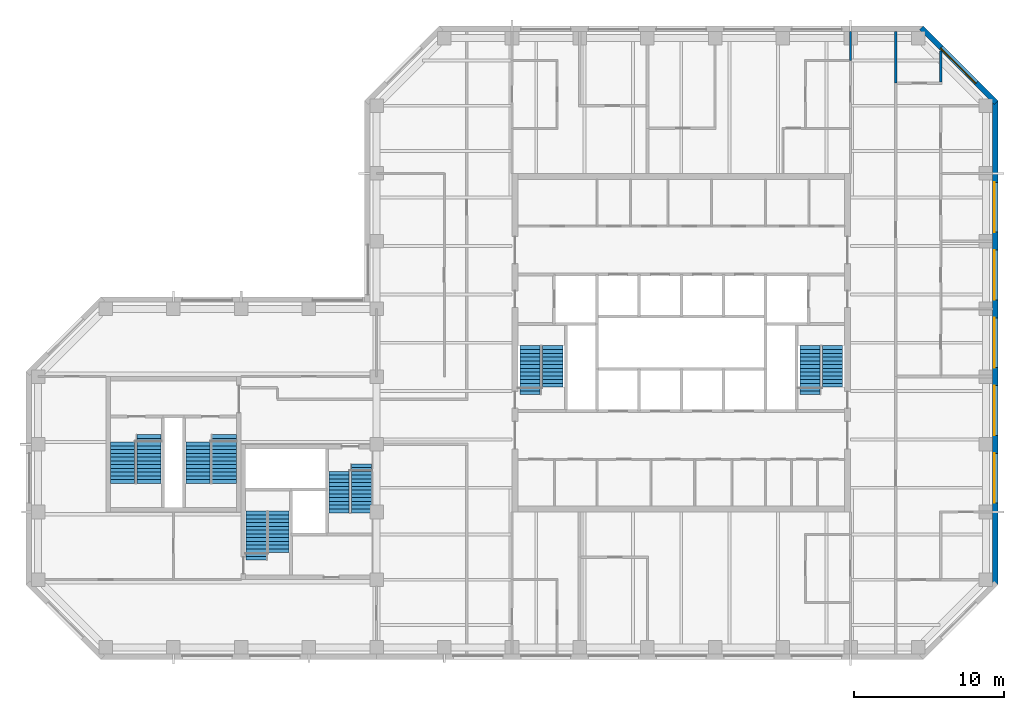
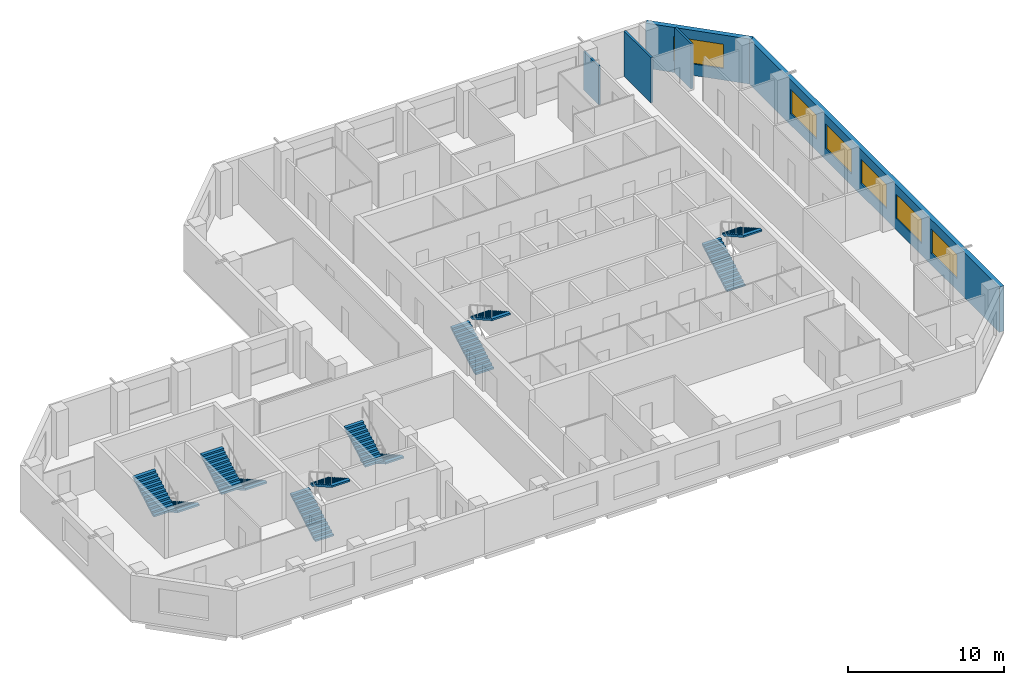
# One storey, part 8 of 9: 12 stair flights, 6 windows, 5 walls, 6 openings, 6 elements without a shape of their own.
"""IFC4 building model written with IfcOpenShell, lengths in metres."""

from ifc_helpers import new_model, si_unit, direction, frame, frame_2d, origin, place, context, subcontext, project, spatial, polyline, rectangle, outline, extrude, material, layer, layer_set, constituent, constituent_set, type_object, element, fill, aggregate, save


model = new_model("IFC4")

# Units and contexts
model_context = context("Model", 3, precision=1e-05, world=origin(), true_north=direction((0.0, 1.0)))
body_context = subcontext(model_context, "Body", "Model", "MODEL_VIEW")
ifc_project = project(units=[si_unit("LENGTHUNIT", "METRE"), si_unit("AREAUNIT", "SQUARE_METRE"), si_unit("VOLUMEUNIT", "CUBIC_METRE"), si_unit("PLANEANGLEUNIT", "RADIAN"), si_unit("MASSUNIT", "GRAM", prefix="KILO")], contexts=[model_context])

# Site, building, storey
site_placement = place(None, origin())
site = spatial("IfcSite", under=ifc_project, at=site_placement, CompositionType="ELEMENT")
building_placement = place(site_placement, origin())
building = spatial("IfcBuilding", under=site, at=building_placement, Name="Quoin Convention Tower", CompositionType="ELEMENT")
storey_placement = place(building_placement, frame((0.0, 0.0, 230.39990234375)))
storey = spatial("IfcBuildingStorey", under=building, at=storey_placement, Name="L60", CompositionType="ELEMENT", Elevation=230.39990234375)

# Wall, openings, windows
ifc_material_1 = material(Name="Brick masonry", Category="masonry")
ifc_layer_1 = layer(ifc_material_1, 0.35009765625)
ifc_layer_set_1 = layer_set([ifc_layer_1], Name="Brick masonry")
wall_type_1 = type_object("IfcWallType", Name="Brick facade wall", PredefinedType="STANDARD", material=ifc_layer_set_1)
wall_1_placement = place(storey_placement, frame((77.125, 44.668701171875, 0.0), z_axis=(0.0, 0.0, 1.0), x_axis=(0.0, 1.0, 0.0)))
wall_1 = element("IfcWall", 1, at=wall_1_placement, inside=storey, type_object=wall_type_1, Name="fw-L60-76500_45000", PredefinedType="STANDARD", context=body_context, shape_type="SweptSolid", body=[
    extrude(rectangle(XDim=32.16259765625, YDim=0.35009765625, at=frame_2d((16.081298828125, 0.0))), origin(), (0.0, 0.0, 1.0), 3.525146484375),
])
opening_1_placement = place(wall_1_placement, frame((5.431396484375, 0.0, 0.89990234375)))
opening_1 = element("IfcOpeningElement", 2, at=opening_1_placement, cuts=wall_1, Name="Opening W-02", PredefinedType="OPENING", context=body_context, shape_type="SweptSolid", body=[
    extrude(rectangle(XDim=3.300048828125, YDim=1.89990234375, at=frame_2d((1.64990234375, 0.949951171875))), frame((0.0, 0.18505859375, 0.0), z_axis=(0.0, -1.0, 0.0), x_axis=(1.0, 0.0, 0.0)), (0.0, 0.0, 1.0), 0.3701171875),
])
opening_2_placement = place(wall_1_placement, frame((9.931396484375, 0.0, 0.89990234375)))
opening_2 = element("IfcOpeningElement", 3, at=opening_2_placement, cuts=wall_1, Name="Opening W-02", PredefinedType="OPENING", context=body_context, shape_type="SweptSolid", body=[
    extrude(rectangle(XDim=3.300048828125, YDim=1.89990234375, at=frame_2d((1.64990234375, 0.949951171875))), frame((0.0, 0.18505859375, 0.0), z_axis=(0.0, -1.0, 0.0), x_axis=(1.0, 0.0, 0.0)), (0.0, 0.0, 1.0), 0.3701171875),
])
opening_3_placement = place(wall_1_placement, frame((14.431396484375, 0.0, 0.89990234375)))
opening_3 = element("IfcOpeningElement", 4, at=opening_3_placement, cuts=wall_1, Name="Opening W-02", PredefinedType="OPENING", context=body_context, shape_type="SweptSolid", body=[
    extrude(rectangle(XDim=3.300048828125, YDim=1.89990234375, at=frame_2d((1.64990234375, 0.949951171875))), frame((0.0, 0.18505859375, 0.0), z_axis=(0.0, -1.0, 0.0), x_axis=(1.0, 0.0, 0.0)), (0.0, 0.0, 1.0), 0.3701171875),
])
opening_4_placement = place(wall_1_placement, frame((18.931396484375, 0.0, 0.89990234375)))
opening_4 = element("IfcOpeningElement", 5, at=opening_4_placement, cuts=wall_1, Name="Opening W-02", PredefinedType="OPENING", context=body_context, shape_type="SweptSolid", body=[
    extrude(rectangle(XDim=3.300048828125, YDim=1.89990234375, at=frame_2d((1.64990234375, 0.949951171875))), frame((0.0, 0.18505859375, 0.0), z_axis=(0.0, -1.0, 0.0), x_axis=(1.0, 0.0, 0.0)), (0.0, 0.0, 1.0), 0.3701171875),
])
opening_5_placement = place(wall_1_placement, frame((23.431396484375, 0.0, 0.89990234375)))
opening_5 = element("IfcOpeningElement", 6, at=opening_5_placement, cuts=wall_1, Name="Opening W-02", PredefinedType="OPENING", context=body_context, shape_type="SweptSolid", body=[
    extrude(rectangle(XDim=3.300048828125, YDim=1.89990234375, at=frame_2d((1.64990234375, 0.949951171875))), frame((0.0, 0.18505859375, 0.0), z_axis=(0.0, -1.0, 0.0), x_axis=(1.0, 0.0, 0.0)), (0.0, 0.0, 1.0), 0.3701171875),
])
ifc_material_2 = material(Name="Aluminium", Category="aluminium")
ifc_constituent_1 = constituent(ifc_material_2, Name="Frame")
ifc_material_3 = material(Name="Insulated glass", Category="glass")
ifc_constituent_2 = constituent(ifc_material_3, Name="Glazing")
ifc_constituent_set = constituent_set(constituents=[ifc_constituent_1, ifc_constituent_2], Name="Aluminium")
window_type = type_object("IfcWindowType", Name="Office window", PartitioningType="DOUBLE_PANEL_VERTICAL", PredefinedType="WINDOW", material=ifc_constituent_set)
window_1_placement = place(opening_1_placement, origin())
window_1 = element("IfcWindow", 7, at=window_1_placement, inside=storey, type_object=window_type, Name="win-L60-77125_51750", OverallHeight=1.89990234375, OverallWidth=3.300048828125, PartitioningType="SINGLE_PANEL", PredefinedType="WINDOW", context=body_context, shape_type="SweptSolid", body=[
    extrude(rectangle(XDim=3.300048828125, YDim=1.89990234375, at=frame_2d((1.64990234375, 0.949951171875))), frame((0.0, 0.0849609375, 0.0), z_axis=(0.0, -1.0, 0.0), x_axis=(1.0, 0.0, 0.0)), (0.0, 0.0, 1.0), 0.06005859375),
])
fill(opening_1, window_1)
window_2_placement = place(opening_2_placement, origin())
window_2 = element("IfcWindow", 8, at=window_2_placement, inside=storey, type_object=window_type, Name="win-L60-77125_56250", OverallHeight=1.89990234375, OverallWidth=3.300048828125, PartitioningType="SINGLE_PANEL", PredefinedType="WINDOW", context=body_context, shape_type="SweptSolid", body=[
    extrude(rectangle(XDim=3.300048828125, YDim=1.89990234375, at=frame_2d((1.64990234375, 0.949951171875))), frame((0.0, 0.0849609375, 0.0), z_axis=(0.0, -1.0, 0.0), x_axis=(1.0, 0.0, 0.0)), (0.0, 0.0, 1.0), 0.06005859375),
])
fill(opening_2, window_2)
window_3_placement = place(opening_3_placement, origin())
window_3 = element("IfcWindow", 9, at=window_3_placement, inside=storey, type_object=window_type, Name="win-L60-77125_60750", OverallHeight=1.89990234375, OverallWidth=3.300048828125, PartitioningType="SINGLE_PANEL", PredefinedType="WINDOW", context=body_context, shape_type="SweptSolid", body=[
    extrude(rectangle(XDim=3.300048828125, YDim=1.89990234375, at=frame_2d((1.64990234375, 0.949951171875))), frame((0.0, 0.0849609375, 0.0), z_axis=(0.0, -1.0, 0.0), x_axis=(1.0, 0.0, 0.0)), (0.0, 0.0, 1.0), 0.06005859375),
])
fill(opening_3, window_3)
window_4_placement = place(opening_4_placement, origin())
window_4 = element("IfcWindow", 10, at=window_4_placement, inside=storey, type_object=window_type, Name="win-L60-77125_65250", OverallHeight=1.89990234375, OverallWidth=3.300048828125, PartitioningType="SINGLE_PANEL", PredefinedType="WINDOW", context=body_context, shape_type="SweptSolid", body=[
    extrude(rectangle(XDim=3.300048828125, YDim=1.89990234375, at=frame_2d((1.64990234375, 0.949951171875))), frame((0.0, 0.0849609375, 0.0), z_axis=(0.0, -1.0, 0.0), x_axis=(1.0, 0.0, 0.0)), (0.0, 0.0, 1.0), 0.06005859375),
])
fill(opening_4, window_4)
window_5_placement = place(opening_5_placement, origin())
window_5 = element("IfcWindow", 11, at=window_5_placement, inside=storey, type_object=window_type, Name="win-L60-77125_69750", OverallHeight=1.89990234375, OverallWidth=3.300048828125, PartitioningType="SINGLE_PANEL", PredefinedType="WINDOW", context=body_context, shape_type="SweptSolid", body=[
    extrude(rectangle(XDim=3.300048828125, YDim=1.89990234375, at=frame_2d((1.64990234375, 0.949951171875))), frame((0.0, 0.0849609375, 0.0), z_axis=(0.0, -1.0, 0.0), x_axis=(1.0, 0.0, 0.0)), (0.0, 0.0, 1.0), 0.06005859375),
])
fill(opening_5, window_5)

# Wall, opening, window
wall_2_placement = place(storey_placement, frame((77.17626953125, 76.70751953125, 0.0), z_axis=(0.0, 0.0, 1.0), x_axis=(-0.707106781187, 0.707106781187, 0.0)))
wall_2 = element("IfcWall", 12, at=wall_2_placement, inside=storey, type_object=wall_type_1, Name="fw-L60-76500_76500", PredefinedType="STANDARD", context=body_context, shape_type="SweptSolid", body=[
    extrude(rectangle(XDim=7.02685546875, YDim=0.35009765625, at=frame_2d((3.513427734375, 0.0))), origin(), (0.0, 0.0, 1.0), 3.525146484375),
])
opening_6_placement = place(wall_2_placement, frame((1.86328125, 0.0, 0.89990234375)))
opening_6 = element("IfcOpeningElement", 13, at=opening_6_placement, cuts=wall_2, Name="Opening W-02", PredefinedType="OPENING", context=body_context, shape_type="SweptSolid", body=[
    extrude(rectangle(XDim=3.300048828125, YDim=1.89990234375, at=frame_2d((1.64990234375, 0.949951171875))), frame((0.0, 0.18505859375, 0.0), z_axis=(0.0, -1.0, 0.0), x_axis=(1.0, 0.0, 0.0)), (0.0, 0.0, 1.0), 0.3701171875),
])
window_6_placement = place(opening_6_placement, origin())
window_6 = element("IfcWindow", 14, at=window_6_placement, inside=storey, type_object=window_type, Name="win-L60-74692_79192", OverallHeight=1.89990234375, OverallWidth=3.300048828125, PartitioningType="SINGLE_PANEL", PredefinedType="WINDOW", context=body_context, shape_type="SweptSolid", body=[
    extrude(rectangle(XDim=3.300048828125, YDim=1.89990234375, at=frame_2d((1.64990234375, 0.949951171875))), frame((0.0, 0.0849609375, 0.0), z_axis=(0.0, -1.0, 0.0), x_axis=(1.0, 0.0, 0.0)), (0.0, 0.0, 1.0), 0.06005859375),
])
fill(opening_6, window_6)

# Walls
ifc_material_4 = material(Name="Plasterboard")
ifc_layer_2 = layer(ifc_material_4, 0.012451171875, Name="Finish")
ifc_material_5 = material(Name="Steel stud framing", Category="steel")
ifc_layer_3 = layer(ifc_material_5, 0.125, Name="Structure")
ifc_layer_4 = layer(ifc_material_4, 0.012451171875, Name="Finish")
ifc_layer_set_2 = layer_set([ifc_layer_2, ifc_layer_3, ifc_layer_4], Name="Steel stud framing")
wall_type_2 = type_object("IfcWallType", Name="Corridor wall 150", PredefinedType="PARTITIONING", material=ifc_layer_set_2)
wall_3_placement = place(storey_placement, frame((70.5, 78.0, 0.0), z_axis=(0.0, 0.0, 1.0), x_axis=(0.0, 1.0, 0.0)))
element("IfcWall", 15, at=wall_3_placement, inside=storey, type_object=wall_type_2, Name="pw-L60-079", PredefinedType="PARTITIONING", context=body_context, shape_type="SweptSolid", body=[
    extrude(rectangle(XDim=3.449951171875, YDim=0.14990234375, at=frame_2d((1.72509765625, 0.0))), origin(), (0.0, 0.0, 1.0), 3.550048828125),
])
ifc_layer_5 = layer(ifc_material_4, 0.012451171875, Name="Finish")
ifc_layer_6 = layer(ifc_material_5, 0.125, Name="Structure")
ifc_layer_7 = layer(ifc_material_4, 0.012451171875, Name="Finish")
ifc_layer_set_3 = layer_set([ifc_layer_5, ifc_layer_6, ifc_layer_7], Name="Steel stud framing")
wall_type_3 = type_object("IfcWallType", Name="Corridor wall 150 under beam 528", PredefinedType="PARTITIONING", material=ifc_layer_set_3)
wall_4_placement = place(storey_placement, frame((67.5, 79.5, 0.0), z_axis=(0.0, 0.0, 1.0), x_axis=(0.0, 1.0, 0.0)))
element("IfcWall", 16, at=wall_4_placement, inside=storey, type_object=wall_type_3, Name="pw-L60-082", PredefinedType="PARTITIONING", context=body_context, shape_type="SweptSolid", body=[
    extrude(rectangle(XDim=1.949951171875, YDim=0.14990234375, at=frame_2d((0.97509765625, 0.0))), origin(), (0.0, 0.0, 1.0), 3.022216796875),
])
ifc_layer_8 = layer(ifc_material_4, 0.012451171875, Name="Finish")
ifc_layer_9 = layer(ifc_material_5, 0.125, Name="Structure")
ifc_layer_10 = layer(ifc_material_4, 0.012451171875, Name="Finish")
ifc_layer_set_4 = layer_set([ifc_layer_8, ifc_layer_9, ifc_layer_10], Name="Steel stud framing")
wall_type_4 = type_object("IfcWallType", Name="Wet area partition 150", PredefinedType="PARTITIONING", material=ifc_layer_set_4)
wall_5_placement = place(storey_placement, frame((73.5, 78.074951171875, 0.0), z_axis=(0.0, 0.0, 1.0), x_axis=(0.0, 1.0, 0.0)))
element("IfcWall", 17, at=wall_5_placement, inside=storey, type_object=wall_type_4, Name="pw-L60-080", PredefinedType="PARTITIONING", context=body_context, shape_type="SweptSolid", body=[
    extrude(rectangle(XDim=2.0615234375, YDim=0.14990234375, at=frame_2d((1.03076171875, 0.0))), origin(), (0.0, 0.0, 1.0), 3.550048828125),
])

# Stair, stair flights
ifc_material_6 = material(Name="Concrete C40", Category="concrete")
stair_type_1 = type_object("IfcStairType", Name="Exit stair two-flight 1350", PredefinedType="HALF_TURN_STAIR", material=ifc_material_6)
stair_1_placement = place(storey_placement, origin())
stair_1 = element("IfcStair", 18, at=stair_1_placement, inside=storey, type_object=stair_type_1, Name="SD1 L60", PredefinedType="HALF_TURN_STAIR")
stair_flight_type_1 = type_object("IfcStairFlightType", Name="Stair flight 1350", PredefinedType="STRAIGHT", material=ifc_material_6)
stair_flight_1_placement = place(storey_placement, frame((46.199951171875, 57.300048828125, 0.0), z_axis=(0.0, 0.0, 1.0), x_axis=(0.0, 1.0, 0.0)))
stair_flight_1 = element("IfcStairFlight", 19, at=stair_flight_1_placement, type_object=stair_flight_type_1, Name="ST1 flight 1", NumberOfRisers=14, NumberOfTreads=13, PredefinedType="STRAIGHT", RiserHeight=0.142307692, TreadLength=0.25, context=body_context, shape_type="SweptSolid", body=[
    extrude(outline(polyline([(0.0, 0.0), (0.0, 0.142333984375), (0.25, 0.142333984375), (0.25, 0.28466796875), (0.5, 0.28466796875), (0.5, 0.427001953125), (0.75, 0.427001953125), (0.75, 0.5693359375), (1.0, 0.5693359375), (1.0, 0.71142578125), (1.25, 0.71142578125), (1.25, 0.853759765625), (1.5, 0.853759765625), (1.5, 0.99609375), (1.75, 0.99609375), (1.75, 1.138427734375), (2.0, 1.138427734375), (2.0, 1.28076171875), (2.25, 1.28076171875), (2.25, 1.423095703125), (2.5, 1.423095703125), (2.5, 1.5654296875), (2.75, 1.5654296875), (2.75, 1.707763671875), (3.0, 1.707763671875), (3.0, 1.85009765625), (3.25, 1.85009765625), (3.25, 1.9921875), (3.25, 1.711669921875), (0.242919921875, 0.0), (0.0, 0.0)])), frame((0.0, 0.675048828125, 0.0), z_axis=(0.0, -1.0, 0.0), x_axis=(1.0, 0.0, 0.0)), (0.0, 0.0, 1.0), 1.35009765625),
])
stair_flight_2_placement = place(storey_placement, frame((47.699951171875, 60.550048828125, 1.992431640625), z_axis=(0.0, 0.0, 1.0), x_axis=(0.0, -1.0, 0.0)))
stair_flight_2 = element("IfcStairFlight", 20, at=stair_flight_2_placement, type_object=stair_flight_type_1, Name="ST1 flight 2", NumberOfRisers=12, NumberOfTreads=11, PredefinedType="STRAIGHT", RiserHeight=0.142307692, TreadLength=0.25, context=body_context, shape_type="SweptSolid", body=[
    extrude(outline(polyline([(0.0, 0.0), (0.0, 0.142333984375), (0.25, 0.142333984375), (0.25, 0.28466796875), (0.5, 0.28466796875), (0.5, 0.427001953125), (0.75, 0.427001953125), (0.75, 0.5693359375), (1.0, 0.5693359375), (1.0, 0.71142578125), (1.25, 0.71142578125), (1.25, 0.853759765625), (1.5, 0.853759765625), (1.5, 0.99609375), (1.75, 0.99609375), (1.75, 1.138427734375), (2.0, 1.138427734375), (2.0, 1.28076171875), (2.25, 1.28076171875), (2.25, 1.423095703125), (2.5, 1.423095703125), (2.5, 1.5654296875), (2.75, 1.5654296875), (2.75, 1.707763671875), (2.75, 1.42724609375), (0.242919921875, 0.0), (0.0, 0.0)])), frame((0.0, 0.675048828125, 0.0), z_axis=(0.0, -1.0, 0.0), x_axis=(1.0, 0.0, 0.0)), (0.0, 0.0, 1.0), 1.35009765625),
])
aggregate(stair_1, [stair_flight_1, stair_flight_2])

stair_2_placement = place(storey_placement, origin())
stair_2 = element("IfcStair", 21, at=stair_2_placement, inside=storey, type_object=stair_type_1, Name="SD2 L60", PredefinedType="HALF_TURN_STAIR")
stair_flight_3_placement = place(storey_placement, frame((64.800048828125, 57.300048828125, 0.0), z_axis=(0.0, 0.0, 1.0), x_axis=(0.0, 1.0, 0.0)))
stair_flight_3 = element("IfcStairFlight", 22, at=stair_flight_3_placement, type_object=stair_flight_type_1, Name="ST2 flight 1", NumberOfRisers=14, NumberOfTreads=13, PredefinedType="STRAIGHT", RiserHeight=0.142307692, TreadLength=0.25, context=body_context, shape_type="SweptSolid", body=[
    extrude(outline(polyline([(0.0, 0.0), (0.0, 0.142333984375), (0.25, 0.142333984375), (0.25, 0.28466796875), (0.5, 0.28466796875), (0.5, 0.427001953125), (0.75, 0.427001953125), (0.75, 0.5693359375), (1.0, 0.5693359375), (1.0, 0.71142578125), (1.25, 0.71142578125), (1.25, 0.853759765625), (1.5, 0.853759765625), (1.5, 0.99609375), (1.75, 0.99609375), (1.75, 1.138427734375), (2.0, 1.138427734375), (2.0, 1.28076171875), (2.25, 1.28076171875), (2.25, 1.423095703125), (2.5, 1.423095703125), (2.5, 1.5654296875), (2.75, 1.5654296875), (2.75, 1.707763671875), (3.0, 1.707763671875), (3.0, 1.85009765625), (3.25, 1.85009765625), (3.25, 1.9921875), (3.25, 1.711669921875), (0.242919921875, 0.0), (0.0, 0.0)])), frame((0.0, 0.675048828125, 0.0), z_axis=(0.0, -1.0, 0.0), x_axis=(1.0, 0.0, 0.0)), (0.0, 0.0, 1.0), 1.35009765625),
])
stair_flight_4_placement = place(storey_placement, frame((66.300048828125, 60.550048828125, 1.992431640625), z_axis=(0.0, 0.0, 1.0), x_axis=(0.0, -1.0, 0.0)))
stair_flight_4 = element("IfcStairFlight", 23, at=stair_flight_4_placement, type_object=stair_flight_type_1, Name="ST2 flight 2", NumberOfRisers=12, NumberOfTreads=11, PredefinedType="STRAIGHT", RiserHeight=0.142307692, TreadLength=0.25, context=body_context, shape_type="SweptSolid", body=[
    extrude(outline(polyline([(0.0, 0.0), (0.0, 0.142333984375), (0.25, 0.142333984375), (0.25, 0.28466796875), (0.5, 0.28466796875), (0.5, 0.427001953125), (0.75, 0.427001953125), (0.75, 0.5693359375), (1.0, 0.5693359375), (1.0, 0.71142578125), (1.25, 0.71142578125), (1.25, 0.853759765625), (1.5, 0.853759765625), (1.5, 0.99609375), (1.75, 0.99609375), (1.75, 1.138427734375), (2.0, 1.138427734375), (2.0, 1.28076171875), (2.25, 1.28076171875), (2.25, 1.423095703125), (2.5, 1.423095703125), (2.5, 1.5654296875), (2.75, 1.5654296875), (2.75, 1.707763671875), (2.75, 1.42724609375), (0.242919921875, 0.0), (0.0, 0.0)])), frame((0.0, 0.675048828125, 0.0), z_axis=(0.0, -1.0, 0.0), x_axis=(1.0, 0.0, 0.0)), (0.0, 0.0, 1.0), 1.35009765625),
])
aggregate(stair_2, [stair_flight_3, stair_flight_4])

stair_3_placement = place(storey_placement, origin())
stair_3 = element("IfcStair", 24, at=stair_3_placement, inside=storey, type_object=stair_type_1, Name="SD3 L60", PredefinedType="HALF_TURN_STAIR")
stair_flight_5_placement = place(storey_placement, frame((28.0, 46.300048828125, 0.0), z_axis=(0.0, 0.0, 1.0), x_axis=(0.0, 1.0, 0.0)))
stair_flight_5 = element("IfcStairFlight", 25, at=stair_flight_5_placement, type_object=stair_flight_type_1, Name="ST3 flight 1", NumberOfRisers=14, NumberOfTreads=13, PredefinedType="STRAIGHT", RiserHeight=0.142307692, TreadLength=0.25, context=body_context, shape_type="SweptSolid", body=[
    extrude(outline(polyline([(0.0, 0.0), (0.0, 0.142333984375), (0.25, 0.142333984375), (0.25, 0.28466796875), (0.5, 0.28466796875), (0.5, 0.427001953125), (0.75, 0.427001953125), (0.75, 0.5693359375), (1.0, 0.5693359375), (1.0, 0.71142578125), (1.25, 0.71142578125), (1.25, 0.853759765625), (1.5, 0.853759765625), (1.5, 0.99609375), (1.75, 0.99609375), (1.75, 1.138427734375), (2.0, 1.138427734375), (2.0, 1.28076171875), (2.25, 1.28076171875), (2.25, 1.423095703125), (2.5, 1.423095703125), (2.5, 1.5654296875), (2.75, 1.5654296875), (2.75, 1.707763671875), (3.0, 1.707763671875), (3.0, 1.85009765625), (3.25, 1.85009765625), (3.25, 1.9921875), (3.25, 1.711669921875), (0.242919921875, 0.0), (0.0, 0.0)])), frame((0.0, 0.675048828125, 0.0), z_axis=(0.0, -1.0, 0.0), x_axis=(1.0, 0.0, 0.0)), (0.0, 0.0, 1.0), 1.35009765625),
])
stair_flight_6_placement = place(storey_placement, frame((29.5, 49.550048828125, 1.992431640625), z_axis=(0.0, 0.0, 1.0), x_axis=(0.0, -1.0, 0.0)))
stair_flight_6 = element("IfcStairFlight", 26, at=stair_flight_6_placement, type_object=stair_flight_type_1, Name="ST3 flight 2", NumberOfRisers=12, NumberOfTreads=11, PredefinedType="STRAIGHT", RiserHeight=0.142307692, TreadLength=0.25, context=body_context, shape_type="SweptSolid", body=[
    extrude(outline(polyline([(0.0, 0.0), (0.0, 0.142333984375), (0.25, 0.142333984375), (0.25, 0.28466796875), (0.5, 0.28466796875), (0.5, 0.427001953125), (0.75, 0.427001953125), (0.75, 0.5693359375), (1.0, 0.5693359375), (1.0, 0.71142578125), (1.25, 0.71142578125), (1.25, 0.853759765625), (1.5, 0.853759765625), (1.5, 0.99609375), (1.75, 0.99609375), (1.75, 1.138427734375), (2.0, 1.138427734375), (2.0, 1.28076171875), (2.25, 1.28076171875), (2.25, 1.423095703125), (2.5, 1.423095703125), (2.5, 1.5654296875), (2.75, 1.5654296875), (2.75, 1.707763671875), (2.75, 1.42724609375), (0.242919921875, 0.0), (0.0, 0.0)])), frame((0.0, 0.675048828125, 0.0), z_axis=(0.0, -1.0, 0.0), x_axis=(1.0, 0.0, 0.0)), (0.0, 0.0, 1.0), 1.35009765625),
])
aggregate(stair_3, [stair_flight_5, stair_flight_6])

stair_4_placement = place(storey_placement, origin())
stair_4 = element("IfcStair", 27, at=stair_4_placement, inside=storey, type_object=stair_type_1, Name="SD4 L60", PredefinedType="HALF_TURN_STAIR")
stair_flight_7_placement = place(storey_placement, frame((35.0, 52.699951171875, 0.0), z_axis=(0.0, 0.0, 1.0), x_axis=(0.0, -1.0, 0.0)))
stair_flight_7 = element("IfcStairFlight", 28, at=stair_flight_7_placement, type_object=stair_flight_type_1, Name="ST4 flight 1", NumberOfRisers=14, NumberOfTreads=13, PredefinedType="STRAIGHT", RiserHeight=0.142307692, TreadLength=0.25, context=body_context, shape_type="SweptSolid", body=[
    extrude(outline(polyline([(0.0, 0.0), (0.0, 0.142333984375), (0.25, 0.142333984375), (0.25, 0.28466796875), (0.5, 0.28466796875), (0.5, 0.427001953125), (0.75, 0.427001953125), (0.75, 0.5693359375), (1.0, 0.5693359375), (1.0, 0.71142578125), (1.25, 0.71142578125), (1.25, 0.853759765625), (1.5, 0.853759765625), (1.5, 0.99609375), (1.75, 0.99609375), (1.75, 1.138427734375), (2.0, 1.138427734375), (2.0, 1.28076171875), (2.25, 1.28076171875), (2.25, 1.423095703125), (2.5, 1.423095703125), (2.5, 1.5654296875), (2.75, 1.5654296875), (2.75, 1.707763671875), (3.0, 1.707763671875), (3.0, 1.85009765625), (3.25, 1.85009765625), (3.25, 1.9921875), (3.25, 1.711669921875), (0.242919921875, 0.0), (0.0, 0.0)])), frame((0.0, 0.675048828125, 0.0), z_axis=(0.0, -1.0, 0.0), x_axis=(1.0, 0.0, 0.0)), (0.0, 0.0, 1.0), 1.35009765625),
])
stair_flight_8_placement = place(storey_placement, frame((33.5, 49.449951171875, 1.992431640625), z_axis=(0.0, 0.0, 1.0), x_axis=(0.0, 1.0, 0.0)))
stair_flight_8 = element("IfcStairFlight", 29, at=stair_flight_8_placement, type_object=stair_flight_type_1, Name="ST4 flight 2", NumberOfRisers=12, NumberOfTreads=11, PredefinedType="STRAIGHT", RiserHeight=0.142307692, TreadLength=0.25, context=body_context, shape_type="SweptSolid", body=[
    extrude(outline(polyline([(0.0, 0.0), (0.0, 0.142333984375), (0.25, 0.142333984375), (0.25, 0.28466796875), (0.5, 0.28466796875), (0.5, 0.427001953125), (0.75, 0.427001953125), (0.75, 0.5693359375), (1.0, 0.5693359375), (1.0, 0.71142578125), (1.25, 0.71142578125), (1.25, 0.853759765625), (1.5, 0.853759765625), (1.5, 0.99609375), (1.75, 0.99609375), (1.75, 1.138427734375), (2.0, 1.138427734375), (2.0, 1.28076171875), (2.25, 1.28076171875), (2.25, 1.423095703125), (2.5, 1.423095703125), (2.5, 1.5654296875), (2.75, 1.5654296875), (2.75, 1.707763671875), (2.75, 1.42724609375), (0.242919921875, 0.0), (0.0, 0.0)])), frame((0.0, 0.675048828125, 0.0), z_axis=(0.0, -1.0, 0.0), x_axis=(1.0, 0.0, 0.0)), (0.0, 0.0, 1.0), 1.35009765625),
])
aggregate(stair_4, [stair_flight_7, stair_flight_8])

stair_type_2 = type_object("IfcStairType", Name="Exit stair two-flight 1600", PredefinedType="HALF_TURN_STAIR", material=ifc_material_6)
stair_5_placement = place(storey_placement, origin())
stair_5 = element("IfcStair", 30, at=stair_5_placement, inside=storey, type_object=stair_type_2, Name="SD11 L60", PredefinedType="HALF_TURN_STAIR")
stair_flight_type_2 = type_object("IfcStairFlightType", Name="Stair flight 1600", PredefinedType="STRAIGHT", material=ifc_material_6)
stair_flight_9_placement = place(storey_placement, frame((20.875, 54.64990234375, 0.0), z_axis=(0.0, 0.0, 1.0), x_axis=(0.0, -1.0, 0.0)))
stair_flight_9 = element("IfcStairFlight", 31, at=stair_flight_9_placement, type_object=stair_flight_type_2, Name="ST11 flight 1", NumberOfRisers=14, NumberOfTreads=13, PredefinedType="STRAIGHT", RiserHeight=0.142307692, TreadLength=0.25, context=body_context, shape_type="SweptSolid", body=[
    extrude(outline(polyline([(0.0, 0.0), (0.0, 0.142333984375), (0.25, 0.142333984375), (0.25, 0.28466796875), (0.5, 0.28466796875), (0.5, 0.427001953125), (0.75, 0.427001953125), (0.75, 0.5693359375), (1.0, 0.5693359375), (1.0, 0.71142578125), (1.25, 0.71142578125), (1.25, 0.853759765625), (1.5, 0.853759765625), (1.5, 0.99609375), (1.75, 0.99609375), (1.75, 1.138427734375), (2.0, 1.138427734375), (2.0, 1.28076171875), (2.25, 1.28076171875), (2.25, 1.423095703125), (2.5, 1.423095703125), (2.5, 1.5654296875), (2.75, 1.5654296875), (2.75, 1.707763671875), (3.0, 1.707763671875), (3.0, 1.85009765625), (3.25, 1.85009765625), (3.25, 1.9921875), (3.25, 1.711669921875), (0.242919921875, 0.0), (0.0, 0.0)])), frame((0.0, 0.800048828125, 0.0), z_axis=(0.0, -1.0, 0.0), x_axis=(1.0, 0.0, 0.0)), (0.0, 0.0, 1.0), 1.60009765625),
])
stair_flight_10_placement = place(storey_placement, frame((19.125, 51.39990234375, 1.992431640625), z_axis=(0.0, 0.0, 1.0), x_axis=(0.0, 1.0, 0.0)))
stair_flight_10 = element("IfcStairFlight", 32, at=stair_flight_10_placement, type_object=stair_flight_type_2, Name="ST11 flight 2", NumberOfRisers=12, NumberOfTreads=11, PredefinedType="STRAIGHT", RiserHeight=0.142307692, TreadLength=0.25, context=body_context, shape_type="SweptSolid", body=[
    extrude(outline(polyline([(0.0, 0.0), (0.0, 0.142333984375), (0.25, 0.142333984375), (0.25, 0.28466796875), (0.5, 0.28466796875), (0.5, 0.427001953125), (0.75, 0.427001953125), (0.75, 0.5693359375), (1.0, 0.5693359375), (1.0, 0.71142578125), (1.25, 0.71142578125), (1.25, 0.853759765625), (1.5, 0.853759765625), (1.5, 0.99609375), (1.75, 0.99609375), (1.75, 1.138427734375), (2.0, 1.138427734375), (2.0, 1.28076171875), (2.25, 1.28076171875), (2.25, 1.423095703125), (2.5, 1.423095703125), (2.5, 1.5654296875), (2.75, 1.5654296875), (2.75, 1.707763671875), (2.75, 1.42724609375), (0.242919921875, 0.0), (0.0, 0.0)])), frame((0.0, 0.800048828125, 0.0), z_axis=(0.0, -1.0, 0.0), x_axis=(1.0, 0.0, 0.0)), (0.0, 0.0, 1.0), 1.60009765625),
])
aggregate(stair_5, [stair_flight_9, stair_flight_10])

stair_6_placement = place(storey_placement, origin())
stair_6 = element("IfcStair", 33, at=stair_6_placement, inside=storey, type_object=stair_type_2, Name="SD12 L60", PredefinedType="HALF_TURN_STAIR")
stair_flight_11_placement = place(storey_placement, frame((25.875, 54.64990234375, 0.0), z_axis=(0.0, 0.0, 1.0), x_axis=(0.0, -1.0, 0.0)))
stair_flight_11 = element("IfcStairFlight", 34, at=stair_flight_11_placement, type_object=stair_flight_type_2, Name="ST12 flight 1", NumberOfRisers=14, NumberOfTreads=13, PredefinedType="STRAIGHT", RiserHeight=0.142307692, TreadLength=0.25, context=body_context, shape_type="SweptSolid", body=[
    extrude(outline(polyline([(0.0, 0.0), (0.0, 0.142333984375), (0.25, 0.142333984375), (0.25, 0.28466796875), (0.5, 0.28466796875), (0.5, 0.427001953125), (0.75, 0.427001953125), (0.75, 0.5693359375), (1.0, 0.5693359375), (1.0, 0.71142578125), (1.25, 0.71142578125), (1.25, 0.853759765625), (1.5, 0.853759765625), (1.5, 0.99609375), (1.75, 0.99609375), (1.75, 1.138427734375), (2.0, 1.138427734375), (2.0, 1.28076171875), (2.25, 1.28076171875), (2.25, 1.423095703125), (2.5, 1.423095703125), (2.5, 1.5654296875), (2.75, 1.5654296875), (2.75, 1.707763671875), (3.0, 1.707763671875), (3.0, 1.85009765625), (3.25, 1.85009765625), (3.25, 1.9921875), (3.25, 1.711669921875), (0.242919921875, 0.0), (0.0, 0.0)])), frame((0.0, 0.800048828125, 0.0), z_axis=(0.0, -1.0, 0.0), x_axis=(1.0, 0.0, 0.0)), (0.0, 0.0, 1.0), 1.60009765625),
])
stair_flight_12_placement = place(storey_placement, frame((24.125, 51.39990234375, 1.992431640625), z_axis=(0.0, 0.0, 1.0), x_axis=(0.0, 1.0, 0.0)))
stair_flight_12 = element("IfcStairFlight", 35, at=stair_flight_12_placement, type_object=stair_flight_type_2, Name="ST12 flight 2", NumberOfRisers=12, NumberOfTreads=11, PredefinedType="STRAIGHT", RiserHeight=0.142307692, TreadLength=0.25, context=body_context, shape_type="SweptSolid", body=[
    extrude(outline(polyline([(0.0, 0.0), (0.0, 0.142333984375), (0.25, 0.142333984375), (0.25, 0.28466796875), (0.5, 0.28466796875), (0.5, 0.427001953125), (0.75, 0.427001953125), (0.75, 0.5693359375), (1.0, 0.5693359375), (1.0, 0.71142578125), (1.25, 0.71142578125), (1.25, 0.853759765625), (1.5, 0.853759765625), (1.5, 0.99609375), (1.75, 0.99609375), (1.75, 1.138427734375), (2.0, 1.138427734375), (2.0, 1.28076171875), (2.25, 1.28076171875), (2.25, 1.423095703125), (2.5, 1.423095703125), (2.5, 1.5654296875), (2.75, 1.5654296875), (2.75, 1.707763671875), (2.75, 1.42724609375), (0.242919921875, 0.0), (0.0, 0.0)])), frame((0.0, 0.800048828125, 0.0), z_axis=(0.0, -1.0, 0.0), x_axis=(1.0, 0.0, 0.0)), (0.0, 0.0, 1.0), 1.60009765625),
])
aggregate(stair_6, [stair_flight_11, stair_flight_12])

save(model, "model.ifc")
